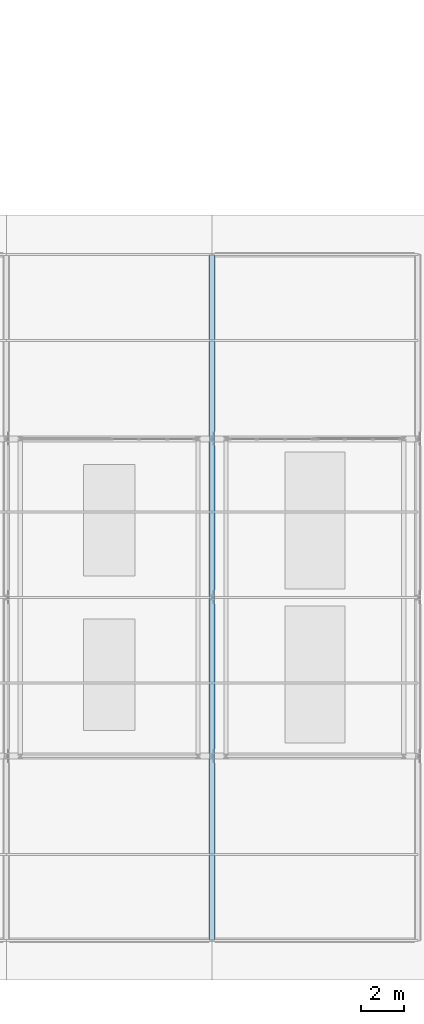
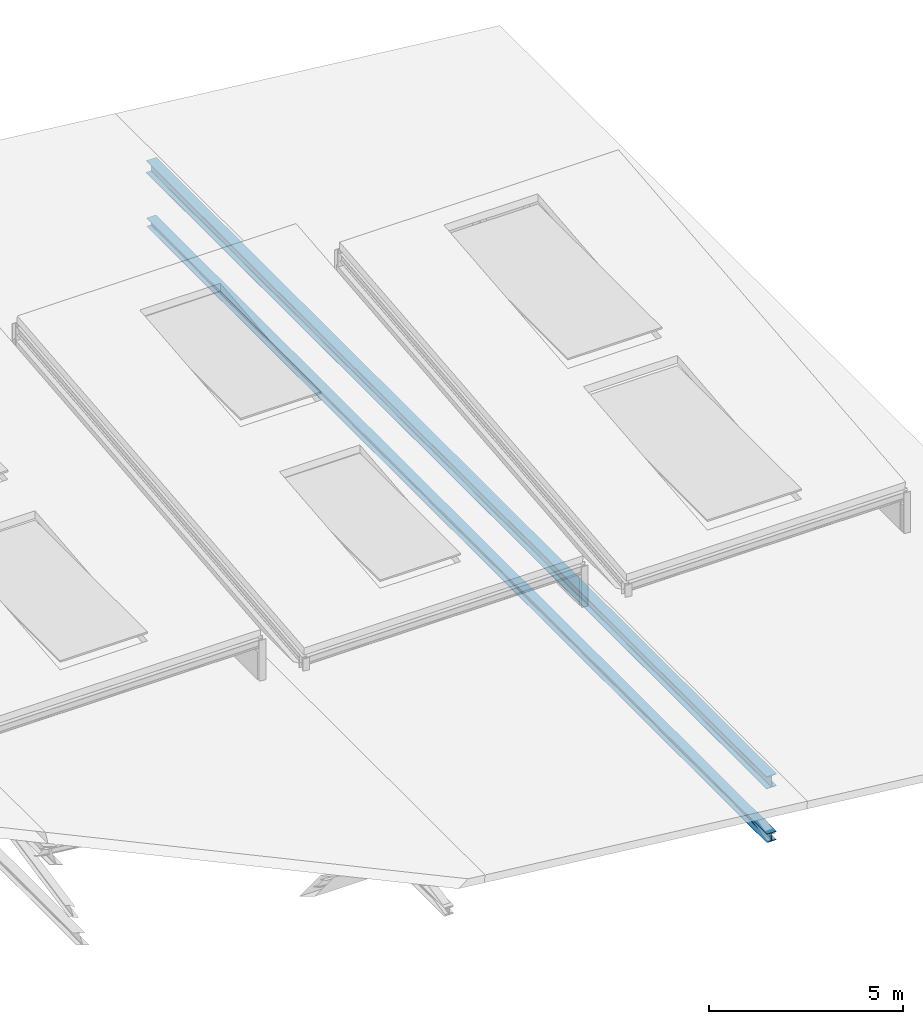
# One storey, part 21 of 30: 2 beams.
"""IFC4 building model written with IfcOpenShell, lengths in metres."""

from ifc_helpers import new_model, si_unit, direction, frame, origin, origin_2d, place, context, subcontext, project, spatial, i_section, extrude, material, material_profile, profile_set, type_object, element, save


model = new_model("IFC4")

# Units and contexts
model_context = context("Model", 3, precision=1e-05, world=origin(), true_north=direction((0.0, 1.0)))
body_context = subcontext(model_context, "Body", "Model", "MODEL_VIEW")
ifc_project = project(units=[si_unit("LENGTHUNIT", "METRE"), si_unit("AREAUNIT", "SQUARE_METRE"), si_unit("VOLUMEUNIT", "CUBIC_METRE"), si_unit("PLANEANGLEUNIT", "RADIAN"), si_unit("MASSUNIT", "GRAM", prefix="KILO")], contexts=[model_context])

# Site, building, storey
site_placement = place(None, origin())
site = spatial("IfcSite", under=ifc_project, at=site_placement, CompositionType="ELEMENT")
building_placement = place(site_placement, origin())
building = spatial("IfcBuilding", under=site, at=building_placement, Name="Alderhovde Museum", CompositionType="ELEMENT")
storey_placement = place(building_placement, frame((0.0, 0.0, 30.699951171875)))
storey = spatial("IfcBuildingStorey", under=building, at=storey_placement, Name="RF", CompositionType="ELEMENT", Elevation=30.699951171875)

# Beams
ifc_material_1 = material(Name="Steel S355J2", Category="steel")
ifc_material_profile_1 = material_profile(ifc_material_1, i_section(OverallWidth=0.280029296875, OverallDepth=0.27001953125, WebThickness=0.008056640625, FlangeThickness=0.012939453125, FilletRadius=0.02392578125, at=origin_2d()), Name="HEA 280")
ifc_profile_set_1 = profile_set([ifc_material_profile_1], Name="Steel S355J2")
beam_type_1 = type_object("IfcBeamType", Name="BM-HEA280", PredefinedType="BEAM", material=ifc_profile_set_1)
beam_1_placement = place(storey_placement, frame((67.199951171875, 48.0, -8.711669921875), z_axis=(0.0, 1.0, 0.0), x_axis=(-1.0, 0.0, 0.0)))
element("IfcBeam", 1, at=beam_1_placement, inside=storey, type_object=beam_type_1, Name="Sawtooth Roof Truss X=67.2 Continuous Bottom Chord", PredefinedType="BEAM", context=body_context, shape_type="SweptSolid", body=[
    extrude(i_section(OverallWidth=0.280029296875, OverallDepth=0.27001953125, WebThickness=0.008056640625, FlangeThickness=0.012939453125, FilletRadius=0.02392578125, at=origin_2d()), origin(), (0.0, 0.0, 1.0), 32.0),
])
ifc_material_2 = material(Name="Steel S355J2", Category="steel")
ifc_material_profile_2 = material_profile(ifc_material_2, i_section(OverallWidth=0.300048828125, OverallDepth=0.389892578125, WebThickness=0.010986328125, FlangeThickness=0.01904296875, FilletRadius=0.027099609375, at=origin_2d()), Name="HEA 400")
ifc_profile_set_2 = profile_set([ifc_material_profile_2], Name="Steel S355J2")
beam_type_2 = type_object("IfcBeamType", Name="BM-HEA400", PredefinedType="BEAM", material=ifc_profile_set_2)
beam_2_placement = place(storey_placement, frame((67.199951171875, 48.0, -6.961669921875), z_axis=(0.0, 1.0, 0.0), x_axis=(-1.0, 0.0, 0.0)))
element("IfcBeam", 2, at=beam_2_placement, inside=storey, type_object=beam_type_2, Name="Sawtooth Roof Truss X=67.2 Continuous Top Chord", PredefinedType="BEAM", context=body_context, shape_type="SweptSolid", body=[
    extrude(i_section(OverallWidth=0.300048828125, OverallDepth=0.389892578125, WebThickness=0.010986328125, FlangeThickness=0.01904296875, FilletRadius=0.027099609375, at=origin_2d()), origin(), (0.0, 0.0, 1.0), 32.0),
])

save(model, "model.ifc")
